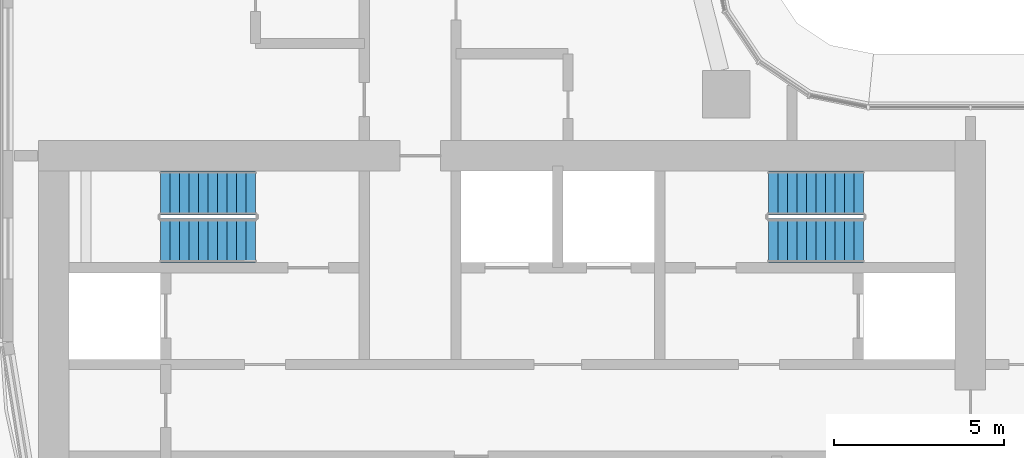
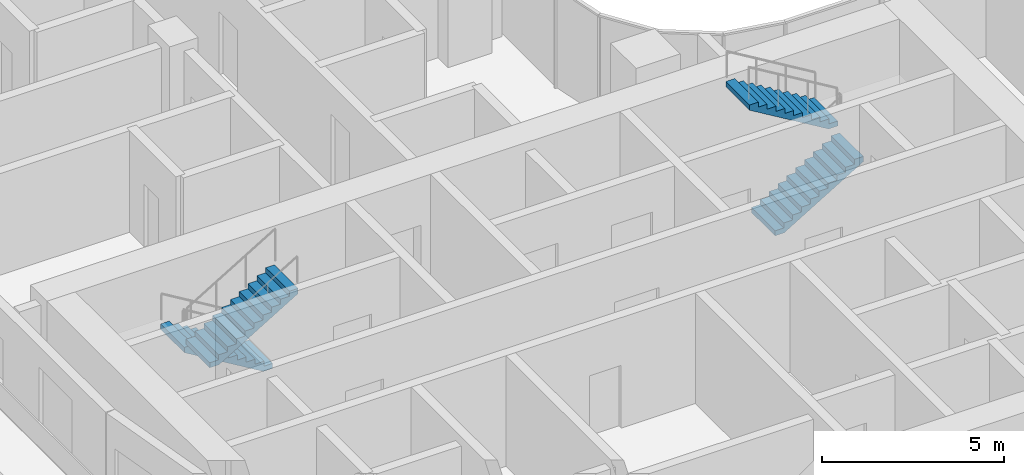
# One storey, part 25 of 36: 4 stair flights, 2 elements without a shape of their own.
"""IFC4 building model written with IfcOpenShell, lengths in metres."""

from ifc_helpers import new_model, si_unit, direction, frame, origin, place, context, subcontext, project, spatial, triangles, source, transform, mapped, material, type_object, element, aggregate, save


model = new_model("IFC4")

# Units and contexts
model_context = context("Model", 3, precision=1e-05, world=origin(), true_north=direction((0.0, 1.0)))
body_context = subcontext(model_context, "Body", "Model", "MODEL_VIEW")
ifc_project = project(units=[si_unit("LENGTHUNIT", "METRE"), si_unit("AREAUNIT", "SQUARE_METRE"), si_unit("VOLUMEUNIT", "CUBIC_METRE"), si_unit("PLANEANGLEUNIT", "RADIAN"), si_unit("MASSUNIT", "GRAM", prefix="KILO")], contexts=[model_context])

# Site, building, storey
site_placement = place(None, origin())
site = spatial("IfcSite", under=ifc_project, at=site_placement, CompositionType="ELEMENT")
building_placement = place(site_placement, origin())
building = spatial("IfcBuilding", under=site, at=building_placement, Name="Ogive Portal Towers", CompositionType="ELEMENT")
storey_placement = place(building_placement, frame((0.0, 0.0, 70.5)))
storey = spatial("IfcBuildingStorey", under=building, at=storey_placement, Name="L16", CompositionType="ELEMENT", Elevation=70.5)

# Stair, stair flights
ifc_material = material(Name="Concrete C40/50", Category="concrete")
stair_type = type_object("IfcStairType", Name="INT-STAIR", PredefinedType="HALF_TURN_STAIR", material=ifc_material)
stair_1_placement = place(storey_placement, origin())
stair_1 = element("IfcStair", 1, at=stair_1_placement, inside=storey, type_object=stair_type, Name="L16 Exit Stair ST-A1", PredefinedType="HALF_TURN_STAIR")
stair_flight_type = type_object("IfcStairFlightType", Name="INT-FLIGHT", PredefinedType="STRAIGHT", material=ifc_material)
shared_shape = source(origin(), body_context, "Body", "Tessellation", [
    triangles([(0.0, -0.650146484375, 0.0), (0.0, -0.376220703125, 0.0), (0.0, -0.192626953125, 0.0), (0.0, -0.081298828125, 0.0), (0.0, -0.024169921875, 0.0), (0.0, -0.003173828125, 0.0), (0.0, 0.0, 0.0), (0.0, 0.0029296875, 0.0), (0.0, 0.02392578125, 0.0), (0.0, 0.0810546875, 0.0), (0.0, 0.1923828125, 0.0), (0.0, 0.3759765625, 0.0), (0.0, 0.64990234375, 0.0), (0.0, -0.650146484375, 0.168212890625), (0.0, -0.376220703125, 0.168212890625), (0.0, -0.192626953125, 0.168212890625), (0.0, -0.081298828125, 0.168212890625), (0.0, -0.024169921875, 0.168212890625), (0.0, -0.003173828125, 0.168212890625), (0.0, 0.0, 0.168212890625), (0.0, 0.0029296875, 0.168212890625), (0.0, 0.02392578125, 0.168212890625), (0.0, 0.0810546875, 0.168212890625), (0.0, 0.1923828125, 0.168212890625), (0.0, 0.3759765625, 0.168212890625), (0.0, 0.64990234375, 0.168212890625), (0.280029296875, -0.650146484375, 0.168212890625), (0.280029296875, -0.376220703125, 0.168212890625), (0.280029296875, -0.192626953125, 0.168212890625), (0.280029296875, -0.081298828125, 0.168212890625), (0.280029296875, -0.024169921875, 0.168212890625), (0.280029296875, -0.003173828125, 0.168212890625), (0.280029296875, 0.0, 0.168212890625), (0.280029296875, 0.0029296875, 0.168212890625), (0.280029296875, 0.02392578125, 0.168212890625), (0.280029296875, 0.0810546875, 0.168212890625), (0.280029296875, 0.1923828125, 0.168212890625), (0.280029296875, 0.3759765625, 0.168212890625), (0.280029296875, 0.64990234375, 0.168212890625), (0.280029296875, -0.650146484375, 0.33642578125), (0.280029296875, -0.376220703125, 0.33642578125), (0.280029296875, -0.192626953125, 0.33642578125), (0.280029296875, -0.081298828125, 0.33642578125), (0.280029296875, -0.024169921875, 0.33642578125), (0.280029296875, -0.003173828125, 0.33642578125), (0.280029296875, 0.0, 0.33642578125), (0.280029296875, 0.0029296875, 0.33642578125), (0.280029296875, 0.02392578125, 0.33642578125), (0.280029296875, 0.0810546875, 0.33642578125), (0.280029296875, 0.1923828125, 0.33642578125), (0.280029296875, 0.3759765625, 0.33642578125), (0.280029296875, 0.64990234375, 0.33642578125), (0.56005859375, -0.650146484375, 0.33642578125), (0.56005859375, -0.376220703125, 0.33642578125), (0.56005859375, -0.192626953125, 0.33642578125), (0.56005859375, -0.081298828125, 0.33642578125), (0.56005859375, -0.024169921875, 0.33642578125), (0.56005859375, -0.003173828125, 0.33642578125), (0.56005859375, 0.0, 0.33642578125), (0.56005859375, 0.0029296875, 0.33642578125), (0.56005859375, 0.02392578125, 0.33642578125), (0.56005859375, 0.0810546875, 0.33642578125), (0.56005859375, 0.1923828125, 0.33642578125), (0.56005859375, 0.3759765625, 0.33642578125), (0.56005859375, 0.64990234375, 0.33642578125), (0.56005859375, -0.650146484375, 0.504638671875), (0.56005859375, -0.376220703125, 0.504638671875), (0.56005859375, -0.192626953125, 0.504638671875), (0.56005859375, -0.081298828125, 0.504638671875), (0.56005859375, -0.024169921875, 0.504638671875), (0.56005859375, -0.003173828125, 0.504638671875), (0.56005859375, 0.0, 0.504638671875), (0.56005859375, 0.0029296875, 0.504638671875), (0.56005859375, 0.02392578125, 0.504638671875), (0.56005859375, 0.0810546875, 0.504638671875), (0.56005859375, 0.1923828125, 0.504638671875), (0.56005859375, 0.3759765625, 0.504638671875), (0.56005859375, 0.64990234375, 0.504638671875), (0.840087890625, -0.650146484375, 0.504638671875), (0.840087890625, -0.376220703125, 0.504638671875), (0.840087890625, -0.192626953125, 0.504638671875), (0.840087890625, -0.081298828125, 0.504638671875), (0.840087890625, -0.024169921875, 0.504638671875), (0.840087890625, -0.003173828125, 0.504638671875), (0.840087890625, 0.0, 0.504638671875), (0.840087890625, 0.0029296875, 0.504638671875), (0.840087890625, 0.02392578125, 0.504638671875), (0.840087890625, 0.0810546875, 0.504638671875), (0.840087890625, 0.1923828125, 0.504638671875), (0.840087890625, 0.3759765625, 0.504638671875), (0.840087890625, 0.64990234375, 0.504638671875), (0.840087890625, -0.650146484375, 0.672607421875), (0.840087890625, -0.376220703125, 0.672607421875), (0.840087890625, -0.192626953125, 0.672607421875), (0.840087890625, -0.081298828125, 0.672607421875), (0.840087890625, -0.024169921875, 0.672607421875), (0.840087890625, -0.003173828125, 0.672607421875), (0.840087890625, 0.0, 0.672607421875), (0.840087890625, 0.0029296875, 0.672607421875), (0.840087890625, 0.02392578125, 0.672607421875), (0.840087890625, 0.0810546875, 0.672607421875), (0.840087890625, 0.1923828125, 0.672607421875), (0.840087890625, 0.3759765625, 0.672607421875), (0.840087890625, 0.64990234375, 0.672607421875), (1.1201171875, -0.650146484375, 0.672607421875), (1.1201171875, -0.376220703125, 0.672607421875), (1.1201171875, -0.192626953125, 0.672607421875), (1.1201171875, -0.081298828125, 0.672607421875), (1.1201171875, -0.024169921875, 0.672607421875), (1.1201171875, -0.003173828125, 0.672607421875), (1.1201171875, 0.0, 0.672607421875), (1.1201171875, 0.0029296875, 0.672607421875), (1.1201171875, 0.02392578125, 0.672607421875), (1.1201171875, 0.0810546875, 0.672607421875), (1.1201171875, 0.1923828125, 0.672607421875), (1.1201171875, 0.3759765625, 0.672607421875), (1.1201171875, 0.64990234375, 0.672607421875), (1.1201171875, -0.650146484375, 0.8408203125), (1.1201171875, -0.376220703125, 0.8408203125), (1.1201171875, -0.192626953125, 0.8408203125), (1.1201171875, -0.081298828125, 0.8408203125), (1.1201171875, -0.024169921875, 0.8408203125), (1.1201171875, -0.003173828125, 0.8408203125), (1.1201171875, 0.0, 0.8408203125), (1.1201171875, 0.0029296875, 0.8408203125), (1.1201171875, 0.02392578125, 0.8408203125), (1.1201171875, 0.0810546875, 0.8408203125), (1.1201171875, 0.1923828125, 0.8408203125), (1.1201171875, 0.3759765625, 0.8408203125), (1.1201171875, 0.64990234375, 0.8408203125), (1.39990234375, -0.650146484375, 0.8408203125), (1.39990234375, -0.376220703125, 0.8408203125), (1.39990234375, -0.192626953125, 0.8408203125), (1.39990234375, -0.081298828125, 0.8408203125), (1.39990234375, -0.024169921875, 0.8408203125), (1.39990234375, -0.003173828125, 0.8408203125), (1.39990234375, 0.0, 0.8408203125), (1.39990234375, 0.0029296875, 0.8408203125), (1.39990234375, 0.02392578125, 0.8408203125), (1.39990234375, 0.0810546875, 0.8408203125), (1.39990234375, 0.1923828125, 0.8408203125), (1.39990234375, 0.3759765625, 0.8408203125), (1.39990234375, 0.64990234375, 0.8408203125), (1.39990234375, -0.650146484375, 1.009033203125), (1.39990234375, -0.376220703125, 1.009033203125), (1.39990234375, -0.192626953125, 1.009033203125), (1.39990234375, -0.081298828125, 1.009033203125), (1.39990234375, -0.024169921875, 1.009033203125), (1.39990234375, -0.003173828125, 1.009033203125), (1.39990234375, 0.0, 1.009033203125), (1.39990234375, 0.0029296875, 1.009033203125), (1.39990234375, 0.02392578125, 1.009033203125), (1.39990234375, 0.0810546875, 1.009033203125), (1.39990234375, 0.1923828125, 1.009033203125), (1.39990234375, 0.3759765625, 1.009033203125), (1.39990234375, 0.64990234375, 1.009033203125), (1.679931640625, -0.650146484375, 1.009033203125), (1.679931640625, -0.376220703125, 1.009033203125), (1.679931640625, -0.192626953125, 1.009033203125), (1.679931640625, -0.081298828125, 1.009033203125), (1.679931640625, -0.024169921875, 1.009033203125), (1.679931640625, -0.003173828125, 1.009033203125), (1.679931640625, 0.0, 1.009033203125), (1.679931640625, 0.0029296875, 1.009033203125), (1.679931640625, 0.02392578125, 1.009033203125), (1.679931640625, 0.0810546875, 1.009033203125), (1.679931640625, 0.1923828125, 1.009033203125), (1.679931640625, 0.3759765625, 1.009033203125), (1.679931640625, 0.64990234375, 1.009033203125), (1.679931640625, -0.650146484375, 1.17724609375), (1.679931640625, -0.376220703125, 1.17724609375), (1.679931640625, -0.192626953125, 1.17724609375), (1.679931640625, -0.081298828125, 1.17724609375), (1.679931640625, -0.024169921875, 1.17724609375), (1.679931640625, -0.003173828125, 1.17724609375), (1.679931640625, 0.0, 1.17724609375), (1.679931640625, 0.0029296875, 1.17724609375), (1.679931640625, 0.02392578125, 1.17724609375), (1.679931640625, 0.0810546875, 1.17724609375), (1.679931640625, 0.1923828125, 1.17724609375), (1.679931640625, 0.3759765625, 1.17724609375), (1.679931640625, 0.64990234375, 1.17724609375), (1.9599609375, -0.650146484375, 1.17724609375), (1.9599609375, -0.376220703125, 1.17724609375), (1.9599609375, -0.192626953125, 1.17724609375), (1.9599609375, -0.081298828125, 1.17724609375), (1.9599609375, -0.024169921875, 1.17724609375), (1.9599609375, -0.003173828125, 1.17724609375), (1.9599609375, 0.0, 1.17724609375), (1.9599609375, 0.0029296875, 1.17724609375), (1.9599609375, 0.02392578125, 1.17724609375), (1.9599609375, 0.0810546875, 1.17724609375), (1.9599609375, 0.1923828125, 1.17724609375), (1.9599609375, 0.3759765625, 1.17724609375), (1.9599609375, 0.64990234375, 1.17724609375), (1.9599609375, -0.650146484375, 1.345458984375), (1.9599609375, -0.376220703125, 1.345458984375), (1.9599609375, -0.192626953125, 1.345458984375), (1.9599609375, -0.081298828125, 1.345458984375), (1.9599609375, -0.024169921875, 1.345458984375), (1.9599609375, -0.003173828125, 1.345458984375), (1.9599609375, 0.0, 1.345458984375), (1.9599609375, 0.0029296875, 1.345458984375), (1.9599609375, 0.02392578125, 1.345458984375), (1.9599609375, 0.0810546875, 1.345458984375), (1.9599609375, 0.1923828125, 1.345458984375), (1.9599609375, 0.3759765625, 1.345458984375), (1.9599609375, 0.64990234375, 1.345458984375), (2.239990234375, -0.650146484375, 1.345458984375), (2.239990234375, -0.376220703125, 1.345458984375), (2.239990234375, -0.192626953125, 1.345458984375), (2.239990234375, -0.081298828125, 1.345458984375), (2.239990234375, -0.024169921875, 1.345458984375), (2.239990234375, -0.003173828125, 1.345458984375), (2.239990234375, 0.0, 1.345458984375), (2.239990234375, 0.0029296875, 1.345458984375), (2.239990234375, 0.02392578125, 1.345458984375), (2.239990234375, 0.0810546875, 1.345458984375), (2.239990234375, 0.1923828125, 1.345458984375), (2.239990234375, 0.3759765625, 1.345458984375), (2.239990234375, 0.64990234375, 1.345458984375), (2.239990234375, -0.650146484375, 1.513671875), (2.239990234375, -0.376220703125, 1.513671875), (2.239990234375, -0.192626953125, 1.513671875), (2.239990234375, -0.081298828125, 1.513671875), (2.239990234375, -0.024169921875, 1.513671875), (2.239990234375, -0.003173828125, 1.513671875), (2.239990234375, 0.0, 1.513671875), (2.239990234375, 0.0029296875, 1.513671875), (2.239990234375, 0.02392578125, 1.513671875), (2.239990234375, 0.0810546875, 1.513671875), (2.239990234375, 0.1923828125, 1.513671875), (2.239990234375, 0.3759765625, 1.513671875), (2.239990234375, 0.64990234375, 1.513671875), (2.52001953125, -0.650146484375, 1.513671875), (2.52001953125, -0.376220703125, 1.513671875), (2.52001953125, -0.192626953125, 1.513671875), (2.52001953125, -0.081298828125, 1.513671875), (2.52001953125, -0.024169921875, 1.513671875), (2.52001953125, -0.003173828125, 1.513671875), (2.52001953125, 0.0, 1.513671875), (2.52001953125, 0.0029296875, 1.513671875), (2.52001953125, 0.02392578125, 1.513671875), (2.52001953125, 0.0810546875, 1.513671875), (2.52001953125, 0.1923828125, 1.513671875), (2.52001953125, 0.3759765625, 1.513671875), (2.52001953125, 0.64990234375, 1.513671875), (2.52001953125, -0.650146484375, 1.681884765625), (2.52001953125, -0.376220703125, 1.681884765625), (2.52001953125, -0.192626953125, 1.681884765625), (2.52001953125, -0.081298828125, 1.681884765625), (2.52001953125, -0.024169921875, 1.681884765625), (2.52001953125, -0.003173828125, 1.681884765625), (2.52001953125, 0.0, 1.681884765625), (2.52001953125, 0.0029296875, 1.681884765625), (2.52001953125, 0.02392578125, 1.681884765625), (2.52001953125, 0.0810546875, 1.681884765625), (2.52001953125, 0.1923828125, 1.681884765625), (2.52001953125, 0.3759765625, 1.681884765625), (2.52001953125, 0.64990234375, 1.681884765625), (2.800048828125, -0.650146484375, 1.681884765625), (2.800048828125, -0.376220703125, 1.681884765625), (2.800048828125, -0.192626953125, 1.681884765625), (2.800048828125, -0.081298828125, 1.681884765625), (2.800048828125, -0.024169921875, 1.681884765625), (2.800048828125, -0.003173828125, 1.681884765625), (2.800048828125, 0.0, 1.681884765625), (2.800048828125, 0.0029296875, 1.681884765625), (2.800048828125, 0.02392578125, 1.681884765625), (2.800048828125, 0.0810546875, 1.681884765625), (2.800048828125, 0.1923828125, 1.681884765625), (2.800048828125, 0.3759765625, 1.681884765625), (2.800048828125, 0.64990234375, 1.681884765625), (2.800048828125, -0.650146484375, 1.5068359375), (2.800048828125, -0.376220703125, 1.5068359375), (2.800048828125, -0.192626953125, 1.5068359375), (2.800048828125, -0.081298828125, 1.5068359375), (2.800048828125, -0.024169921875, 1.5068359375), (2.800048828125, -0.003173828125, 1.5068359375), (2.800048828125, 0.0, 1.5068359375), (2.800048828125, 0.0029296875, 1.5068359375), (2.800048828125, 0.02392578125, 1.5068359375), (2.800048828125, 0.0810546875, 1.5068359375), (2.800048828125, 0.1923828125, 1.5068359375), (2.800048828125, 0.3759765625, 1.5068359375), (2.800048828125, 0.64990234375, 1.5068359375), (0.291015625, -0.650146484375, 0.0), (0.291015625, -0.376220703125, 0.0), (0.291015625, -0.192626953125, 0.0), (0.291015625, -0.081298828125, 0.0), (0.291015625, -0.024169921875, 0.0), (0.291015625, -0.003173828125, 0.0), (0.291015625, 0.0, 0.0), (0.291015625, 0.0029296875, 0.0), (0.291015625, 0.02392578125, 0.0), (0.291015625, 0.0810546875, 0.0), (0.291015625, 0.1923828125, 0.0), (0.291015625, 0.3759765625, 0.0), (0.291015625, 0.64990234375, 0.0)], [[1, 14, 15], [1, 15, 2], [2, 15, 16], [2, 16, 3], [3, 16, 17], [3, 17, 4], [4, 17, 18], [4, 18, 5], [5, 18, 19], [5, 19, 6], [6, 19, 20], [6, 20, 7], [7, 20, 21], [7, 21, 8], [8, 21, 22], [8, 22, 9], [9, 22, 23], [9, 23, 10], [10, 23, 24], [10, 24, 11], [11, 24, 25], [11, 25, 12], [12, 25, 26], [12, 26, 13], [14, 27, 28], [14, 28, 15], [15, 28, 29], [15, 29, 16], [16, 29, 30], [16, 30, 17], [17, 30, 31], [17, 31, 18], [18, 31, 32], [18, 32, 19], [19, 32, 33], [19, 33, 20], [20, 33, 34], [20, 34, 21], [21, 34, 35], [21, 35, 22], [22, 35, 36], [22, 36, 23], [23, 36, 37], [23, 37, 24], [24, 37, 38], [24, 38, 25], [25, 38, 39], [25, 39, 26], [27, 40, 41], [27, 41, 28], [28, 41, 42], [28, 42, 29], [29, 42, 43], [29, 43, 30], [30, 43, 44], [30, 44, 31], [31, 44, 45], [31, 45, 32], [32, 45, 46], [32, 46, 33], [33, 46, 47], [33, 47, 34], [34, 47, 48], [34, 48, 35], [35, 48, 49], [35, 49, 36], [36, 49, 50], [36, 50, 37], [37, 50, 51], [37, 51, 38], [38, 51, 52], [38, 52, 39], [40, 53, 54], [40, 54, 41], [41, 54, 55], [41, 55, 42], [42, 55, 56], [42, 56, 43], [43, 56, 57], [43, 57, 44], [44, 57, 58], [44, 58, 45], [45, 58, 59], [45, 59, 46], [46, 59, 60], [46, 60, 47], [47, 60, 61], [47, 61, 48], [48, 61, 62], [48, 62, 49], [49, 62, 63], [49, 63, 50], [50, 63, 64], [50, 64, 51], [51, 64, 65], [51, 65, 52], [53, 66, 67], [53, 67, 54], [54, 67, 68], [54, 68, 55], [55, 68, 69], [55, 69, 56], [56, 69, 70], [56, 70, 57], [57, 70, 71], [57, 71, 58], [58, 71, 72], [58, 72, 59], [59, 72, 73], [59, 73, 60], [60, 73, 74], [60, 74, 61], [61, 74, 75], [61, 75, 62], [62, 75, 76], [62, 76, 63], [63, 76, 77], [63, 77, 64], [64, 77, 78], [64, 78, 65], [66, 79, 80], [66, 80, 67], [67, 80, 81], [67, 81, 68], [68, 81, 82], [68, 82, 69], [69, 82, 83], [69, 83, 70], [70, 83, 84], [70, 84, 71], [71, 84, 85], [71, 85, 72], [72, 85, 86], [72, 86, 73], [73, 86, 87], [73, 87, 74], [74, 87, 88], [74, 88, 75], [75, 88, 89], [75, 89, 76], [76, 89, 90], [76, 90, 77], [77, 90, 91], [77, 91, 78], [79, 92, 93], [79, 93, 80], [80, 93, 94], [80, 94, 81], [81, 94, 95], [81, 95, 82], [82, 95, 96], [82, 96, 83], [83, 96, 97], [83, 97, 84], [84, 97, 98], [84, 98, 85], [85, 98, 99], [85, 99, 86], [86, 99, 100], [86, 100, 87], [87, 100, 101], [87, 101, 88], [88, 101, 102], [88, 102, 89], [89, 102, 103], [89, 103, 90], [90, 103, 104], [90, 104, 91], [92, 105, 106], [92, 106, 93], [93, 106, 107], [93, 107, 94], [94, 107, 108], [94, 108, 95], [95, 108, 109], [95, 109, 96], [96, 109, 110], [96, 110, 97], [97, 110, 111], [97, 111, 98], [98, 111, 112], [98, 112, 99], [99, 112, 113], [99, 113, 100], [100, 113, 114], [100, 114, 101], [101, 114, 115], [101, 115, 102], [102, 115, 116], [102, 116, 103], [103, 116, 117], [103, 117, 104], [105, 118, 119], [105, 119, 106], [106, 119, 120], [106, 120, 107], [107, 120, 121], [107, 121, 108], [108, 121, 122], [108, 122, 109], [109, 122, 123], [109, 123, 110], [110, 123, 124], [110, 124, 111], [111, 124, 125], [111, 125, 112], [112, 125, 126], [112, 126, 113], [113, 126, 127], [113, 127, 114], [114, 127, 128], [114, 128, 115], [115, 128, 129], [115, 129, 116], [116, 129, 130], [116, 130, 117], [118, 131, 132], [118, 132, 119], [119, 132, 133], [119, 133, 120], [120, 133, 134], [120, 134, 121], [121, 134, 135], [121, 135, 122], [122, 135, 136], [122, 136, 123], [123, 136, 137], [123, 137, 124], [124, 137, 138], [124, 138, 125], [125, 138, 139], [125, 139, 126], [126, 139, 140], [126, 140, 127], [127, 140, 141], [127, 141, 128], [128, 141, 142], [128, 142, 129], [129, 142, 143], [129, 143, 130], [131, 144, 145], [131, 145, 132], [132, 145, 146], [132, 146, 133], [133, 146, 147], [133, 147, 134], [134, 147, 148], [134, 148, 135], [135, 148, 149], [135, 149, 136], [136, 149, 150], [136, 150, 137], [137, 150, 151], [137, 151, 138], [138, 151, 152], [138, 152, 139], [139, 152, 153], [139, 153, 140], [140, 153, 154], [140, 154, 141], [141, 154, 155], [141, 155, 142], [142, 155, 156], [142, 156, 143], [144, 157, 158], [144, 158, 145], [145, 158, 159], [145, 159, 146], [146, 159, 160], [146, 160, 147], [147, 160, 161], [147, 161, 148], [148, 161, 162], [148, 162, 149], [149, 162, 163], [149, 163, 150], [150, 163, 164], [150, 164, 151], [151, 164, 165], [151, 165, 152], [152, 165, 166], [152, 166, 153], [153, 166, 167], [153, 167, 154], [154, 167, 168], [154, 168, 155], [155, 168, 169], [155, 169, 156], [157, 170, 171], [157, 171, 158], [158, 171, 172], [158, 172, 159], [159, 172, 173], [159, 173, 160], [160, 173, 174], [160, 174, 161], [161, 174, 175], [161, 175, 162], [162, 175, 176], [162, 176, 163], [163, 176, 177], [163, 177, 164], [164, 177, 178], [164, 178, 165], [165, 178, 179], [165, 179, 166], [166, 179, 180], [166, 180, 167], [167, 180, 181], [167, 181, 168], [168, 181, 182], [168, 182, 169], [170, 183, 184], [170, 184, 171], [171, 184, 185], [171, 185, 172], [172, 185, 186], [172, 186, 173], [173, 186, 187], [173, 187, 174], [174, 187, 188], [174, 188, 175], [175, 188, 189], [175, 189, 176], [176, 189, 190], [176, 190, 177], [177, 190, 191], [177, 191, 178], [178, 191, 192], [178, 192, 179], [179, 192, 193], [179, 193, 180], [180, 193, 194], [180, 194, 181], [181, 194, 195], [181, 195, 182], [183, 196, 197], [183, 197, 184], [184, 197, 198], [184, 198, 185], [185, 198, 199], [185, 199, 186], [186, 199, 200], [186, 200, 187], [187, 200, 201], [187, 201, 188], [188, 201, 202], [188, 202, 189], [189, 202, 203], [189, 203, 190], [190, 203, 204], [190, 204, 191], [191, 204, 205], [191, 205, 192], [192, 205, 206], [192, 206, 193], [193, 206, 207], [193, 207, 194], [194, 207, 208], [194, 208, 195], [196, 209, 210], [196, 210, 197], [197, 210, 211], [197, 211, 198], [198, 211, 212], [198, 212, 199], [199, 212, 213], [199, 213, 200], [200, 213, 214], [200, 214, 201], [201, 214, 215], [201, 215, 202], [202, 215, 216], [202, 216, 203], [203, 216, 217], [203, 217, 204], [204, 217, 218], [204, 218, 205], [205, 218, 219], [205, 219, 206], [206, 219, 220], [206, 220, 207], [207, 220, 221], [207, 221, 208], [209, 222, 223], [209, 223, 210], [210, 223, 224], [210, 224, 211], [211, 224, 225], [211, 225, 212], [212, 225, 226], [212, 226, 213], [213, 226, 227], [213, 227, 214], [214, 227, 228], [214, 228, 215], [215, 228, 229], [215, 229, 216], [216, 229, 230], [216, 230, 217], [217, 230, 231], [217, 231, 218], [218, 231, 232], [218, 232, 219], [219, 232, 233], [219, 233, 220], [220, 233, 234], [220, 234, 221], [222, 235, 236], [222, 236, 223], [223, 236, 237], [223, 237, 224], [224, 237, 238], [224, 238, 225], [225, 238, 239], [225, 239, 226], [226, 239, 240], [226, 240, 227], [227, 240, 241], [227, 241, 228], [228, 241, 242], [228, 242, 229], [229, 242, 243], [229, 243, 230], [230, 243, 244], [230, 244, 231], [231, 244, 245], [231, 245, 232], [232, 245, 246], [232, 246, 233], [233, 246, 247], [233, 247, 234], [235, 248, 249], [235, 249, 236], [236, 249, 250], [236, 250, 237], [237, 250, 251], [237, 251, 238], [238, 251, 252], [238, 252, 239], [239, 252, 253], [239, 253, 240], [240, 253, 254], [240, 254, 241], [241, 254, 255], [241, 255, 242], [242, 255, 256], [242, 256, 243], [243, 256, 257], [243, 257, 244], [244, 257, 258], [244, 258, 245], [245, 258, 259], [245, 259, 246], [246, 259, 260], [246, 260, 247], [248, 261, 262], [248, 262, 249], [249, 262, 263], [249, 263, 250], [250, 263, 264], [250, 264, 251], [251, 264, 265], [251, 265, 252], [252, 265, 266], [252, 266, 253], [253, 266, 267], [253, 267, 254], [254, 267, 268], [254, 268, 255], [255, 268, 269], [255, 269, 256], [256, 269, 270], [256, 270, 257], [257, 270, 271], [257, 271, 258], [258, 271, 272], [258, 272, 259], [259, 272, 273], [259, 273, 260], [261, 274, 275], [261, 275, 262], [262, 275, 276], [262, 276, 263], [263, 276, 277], [263, 277, 264], [264, 277, 278], [264, 278, 265], [265, 278, 279], [265, 279, 266], [266, 279, 280], [266, 280, 267], [267, 280, 281], [267, 281, 268], [268, 281, 282], [268, 282, 269], [269, 282, 283], [269, 283, 270], [270, 283, 284], [270, 284, 271], [271, 284, 285], [271, 285, 272], [272, 285, 286], [272, 286, 273], [274, 287, 288], [274, 288, 275], [275, 288, 289], [275, 289, 276], [276, 289, 290], [276, 290, 277], [277, 290, 291], [277, 291, 278], [278, 291, 292], [278, 292, 279], [279, 292, 293], [279, 293, 280], [280, 293, 294], [280, 294, 281], [281, 294, 295], [281, 295, 282], [282, 295, 296], [282, 296, 283], [283, 296, 297], [283, 297, 284], [284, 297, 298], [284, 298, 285], [285, 298, 299], [285, 299, 286], [287, 1, 2], [287, 2, 288], [288, 2, 3], [288, 3, 289], [289, 3, 4], [289, 4, 290], [290, 4, 5], [290, 5, 291], [291, 5, 6], [291, 6, 292], [292, 6, 7], [292, 7, 293], [293, 7, 8], [293, 8, 294], [294, 8, 9], [294, 9, 295], [295, 9, 10], [295, 10, 296], [296, 10, 11], [296, 11, 297], [297, 11, 12], [297, 12, 298], [298, 12, 13], [298, 13, 299], [1, 287, 274], [13, 286, 299], [274, 261, 248], [286, 260, 273], [274, 248, 235], [286, 247, 260], [274, 235, 222], [286, 234, 247], [274, 222, 209], [286, 221, 234], [209, 196, 183], [221, 195, 208], [274, 209, 183], [286, 195, 221], [183, 170, 157], [195, 169, 182], [274, 183, 157], [286, 169, 195], [157, 144, 131], [169, 143, 156], [274, 157, 131], [286, 143, 169], [131, 118, 105], [143, 117, 130], [274, 131, 105], [286, 117, 143], [1, 274, 105], [13, 117, 286], [105, 92, 79], [117, 91, 104], [79, 66, 53], [91, 65, 78], [105, 79, 53], [117, 65, 91], [53, 40, 27], [65, 39, 52], [105, 53, 27], [117, 39, 65], [1, 105, 27], [13, 39, 117], [27, 14, 1], [39, 13, 26]], closed=True),
])
stair_flight_1_placement = place(storey_placement, frame((37.449951171875, 38.39990234375, 0.0), z_axis=(0.0, 0.0, 1.0), x_axis=(-1.0, 0.0, 0.0)))
stair_flight_1 = element("IfcStairFlight", 2, at=stair_flight_1_placement, type_object=stair_flight_type, Name="ST-A1 flight 1", NumberOfRisers=11, NumberOfTreads=10, PredefinedType="STRAIGHT", RiserHeight=0.168181818, TreadLength=0.28, context=body_context, shape_type="MappedRepresentation", body=[
    mapped(shared_shape, transform((0.0, 0.0, 0.0), scale=1.0)),
])
stair_flight_2_placement = place(storey_placement, frame((34.64990234375, 37.0, 1.85009765625), z_axis=(0.0, 0.0, 1.0), x_axis=(1.0, 0.0, 0.0)))
stair_flight_2 = element("IfcStairFlight", 3, at=stair_flight_2_placement, type_object=stair_flight_type, Name="ST-A1 flight 2", NumberOfRisers=11, NumberOfTreads=10, PredefinedType="STRAIGHT", RiserHeight=0.168181818, TreadLength=0.28, context=body_context, shape_type="MappedRepresentation", body=[
    mapped(shared_shape, transform((0.0, 0.0, 0.0), scale=1.0)),
])
aggregate(stair_1, [stair_flight_1, stair_flight_2])

stair_2_placement = place(storey_placement, origin())
stair_2 = element("IfcStair", 4, at=stair_2_placement, inside=storey, type_object=stair_type, Name="L16 Exit Stair ST-A2", PredefinedType="HALF_TURN_STAIR")
stair_flight_3_placement = place(storey_placement, frame((52.550048828125, 37.0, 0.0), z_axis=(0.0, 0.0, 1.0), x_axis=(1.0, 0.0, 0.0)))
stair_flight_3 = element("IfcStairFlight", 5, at=stair_flight_3_placement, type_object=stair_flight_type, Name="ST-A2 flight 1", NumberOfRisers=11, NumberOfTreads=10, PredefinedType="STRAIGHT", RiserHeight=0.168181818, TreadLength=0.28, context=body_context, shape_type="MappedRepresentation", body=[
    mapped(shared_shape, transform((0.0, 0.0, 0.0), scale=1.0)),
])
stair_flight_4_placement = place(storey_placement, frame((55.35009765625, 38.39990234375, 1.85009765625), z_axis=(0.0, 0.0, 1.0), x_axis=(-1.0, 0.0, 0.0)))
stair_flight_4 = element("IfcStairFlight", 6, at=stair_flight_4_placement, type_object=stair_flight_type, Name="ST-A2 flight 2", NumberOfRisers=11, NumberOfTreads=10, PredefinedType="STRAIGHT", RiserHeight=0.168181818, TreadLength=0.28, context=body_context, shape_type="MappedRepresentation", body=[
    mapped(shared_shape, transform((0.0, 0.0, 0.0), scale=1.0)),
])
aggregate(stair_2, [stair_flight_3, stair_flight_4])

save(model, "model.ifc")
